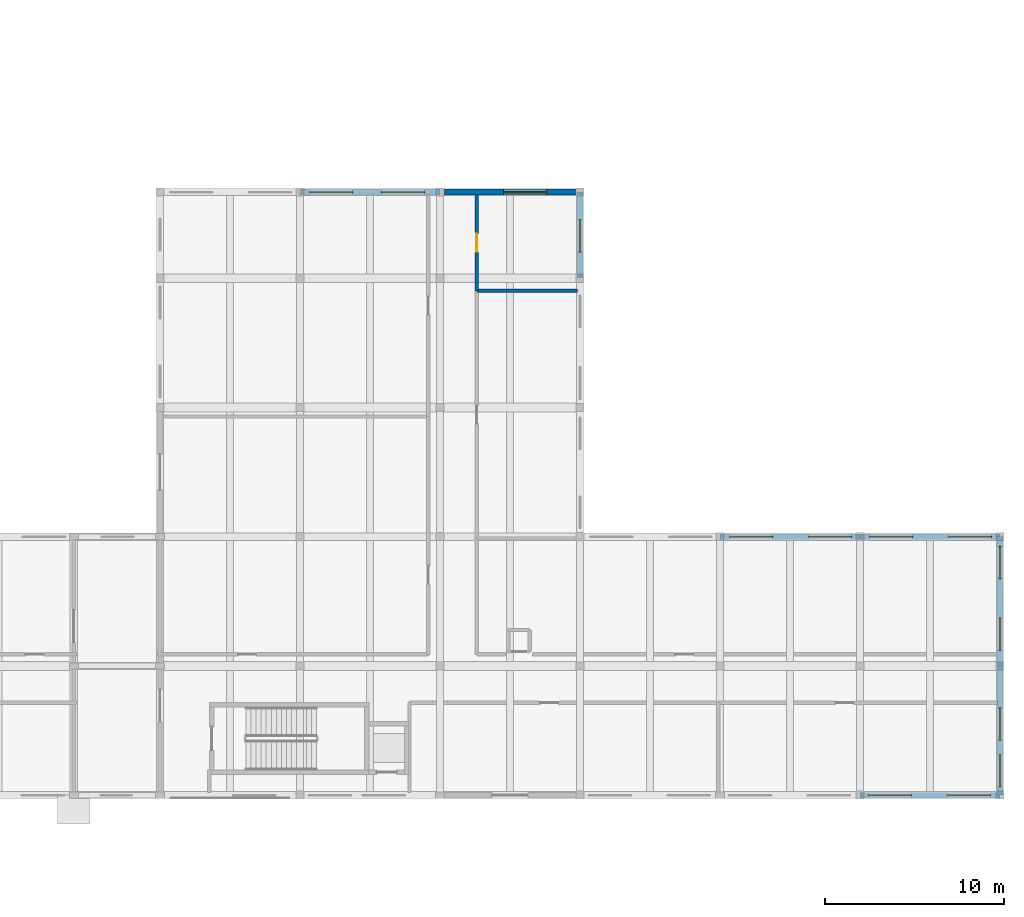
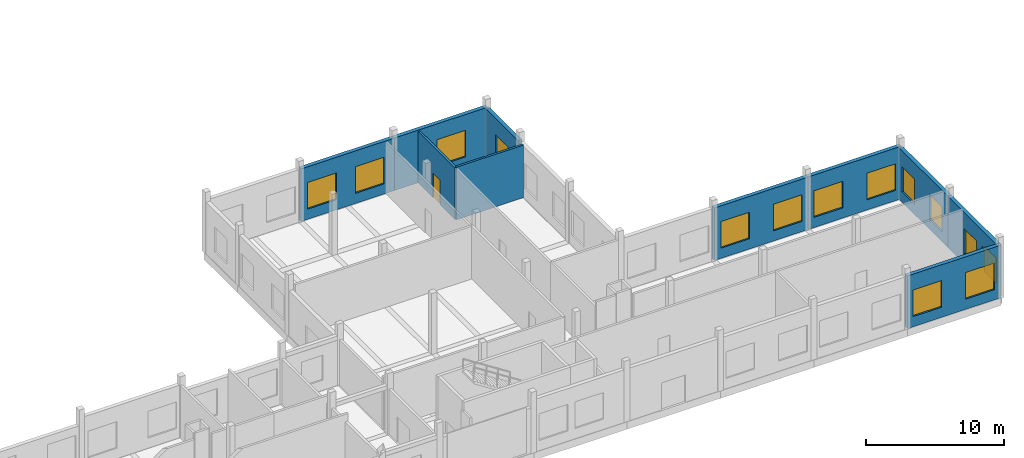
# One storey, part 28 of 41: 14 windows, 10 walls, 1 door, 15 openings.
"""IFC4 building model written with IfcOpenShell, lengths in metres."""

from ifc_helpers import new_model, si_unit, direction, frame, frame_2d, origin, place, context, subcontext, project, spatial, rectangle, extrude, material, layer, layer_set, type_object, element, fill, save


model = new_model("IFC4")

# Units and contexts
model_context = context("Model", 3, precision=1e-05, world=origin(), true_north=direction((0.0, 1.0)))
body_context = subcontext(model_context, "Body", "Model", "MODEL_VIEW")
ifc_project = project(units=[si_unit("LENGTHUNIT", "METRE"), si_unit("AREAUNIT", "SQUARE_METRE"), si_unit("VOLUMEUNIT", "CUBIC_METRE"), si_unit("PLANEANGLEUNIT", "RADIAN"), si_unit("MASSUNIT", "GRAM", prefix="KILO")], contexts=[model_context])

# Site, building, storey
site_placement = place(None, origin())
site = spatial("IfcSite", under=ifc_project, at=site_placement, CompositionType="ELEMENT")
building_placement = place(site_placement, origin())
building = spatial("IfcBuilding", under=site, at=building_placement, Name="Kahlenmark Community Centre", CompositionType="ELEMENT")
storey_placement = place(building_placement, origin())
storey = spatial("IfcBuildingStorey", under=building, at=storey_placement, Name="L00", CompositionType="ELEMENT", Elevation=0.0)

# Wall, openings, windows
ifc_material_1 = material(Name="Danube limestone masonry", Category="masonry")
ifc_layer_1 = layer(ifc_material_1, 0.320068359375)
ifc_layer_set_1 = layer_set([ifc_layer_1], Name="Danube limestone masonry")
wall_type_1 = type_object("IfcWallType", Name="WT-EW-320", PredefinedType="SOLIDWALL", material=ifc_layer_set_1)
wall_1_placement = place(storey_placement, frame((160.60009765625, 8.800048828125, 0.0), z_axis=(0.0, 0.0, 1.0), x_axis=(1.0, 0.0, 0.0)))
wall_1 = element("IfcWall", 1, at=wall_1_placement, inside=storey, type_object=wall_type_1, Name="Exterior wall WL-EXT-L00-0224", PredefinedType="SOLIDWALL", context=body_context, shape_type="SweptSolid", body=[
    extrude(rectangle(XDim=7.7998046875, YDim=0.320068359375, at=frame_2d((3.89990234375, 0.0))), origin(), (0.0, 0.0, 1.0), 4.639892578125),
])
opening_1_placement = place(wall_1_placement, frame((0.4599609375, 0.0, 0.89990234375)))
opening_1 = element("IfcOpeningElement", 2, at=opening_1_placement, cuts=wall_1, Name="Opening W-240X235", PredefinedType="OPENING", context=body_context, shape_type="SweptSolid", body=[
    extrude(rectangle(XDim=2.39990234375, YDim=2.35009765625, at=frame_2d((1.199951171875, 1.175048828125))), frame((0.0, 0.169921875, 0.0), z_axis=(0.0, -1.0, 0.0), x_axis=(1.0, 0.0, 0.0)), (0.0, 0.0, 1.0), 0.340087890625),
])
opening_2_placement = place(wall_1_placement, frame((4.860107421875, 0.0, 0.89990234375)))
opening_2 = element("IfcOpeningElement", 3, at=opening_2_placement, cuts=wall_1, Name="Opening W-240X235", PredefinedType="OPENING", context=body_context, shape_type="SweptSolid", body=[
    extrude(rectangle(XDim=2.39990234375, YDim=2.35009765625, at=frame_2d((1.199951171875, 1.175048828125))), frame((0.0, 0.169921875, 0.0), z_axis=(0.0, -1.0, 0.0), x_axis=(1.0, 0.0, 0.0)), (0.0, 0.0, 1.0), 0.340087890625),
])
ifc_material_2 = material(Name="Triple low-e insulated glazing in timber-aluminium frame", Category="wood")
window_type_1 = type_object("IfcWindowType", Name="WNT-240X235", PartitioningType="TRIPLE_PANEL_VERTICAL", PredefinedType="WINDOW", material=ifc_material_2)
window_1_placement = place(opening_1_placement, origin())
window_1 = element("IfcWindow", 4, at=window_1_placement, inside=storey, type_object=window_type_1, Name="Window W-240X235 #0134", OverallHeight=2.35009765625, OverallWidth=2.39990234375, PartitioningType="TRIPLE_PANEL_VERTICAL", PredefinedType="WINDOW", context=body_context, shape_type="SweptSolid", body=[
    extrude(rectangle(XDim=2.39990234375, YDim=2.35009765625, at=frame_2d((1.199951171875, 1.175048828125))), frame((0.0, 0.030029296875, 0.0), z_axis=(0.0, -1.0, 0.0), x_axis=(1.0, 0.0, 0.0)), (0.0, 0.0, 1.0), 0.06005859375),
])
fill(opening_1, window_1)
window_2_placement = place(opening_2_placement, origin())
window_2 = element("IfcWindow", 5, at=window_2_placement, inside=storey, type_object=window_type_1, Name="Window W-240X235 #0135", OverallHeight=2.35009765625, OverallWidth=2.39990234375, PartitioningType="TRIPLE_PANEL_VERTICAL", PredefinedType="WINDOW", context=body_context, shape_type="SweptSolid", body=[
    extrude(rectangle(XDim=2.39990234375, YDim=2.35009765625, at=frame_2d((1.199951171875, 1.175048828125))), frame((0.0, 0.030029296875, 0.0), z_axis=(0.0, -1.0, 0.0), x_axis=(1.0, 0.0, 0.0)), (0.0, 0.0, 1.0), 0.06005859375),
])
fill(opening_2, window_2)

wall_2_placement = place(storey_placement, frame((160.60009765625, 23.199951171875, 0.0), z_axis=(0.0, 0.0, 1.0), x_axis=(-1.0, 0.0, 0.0)))
wall_2 = element("IfcWall", 6, at=wall_2_placement, inside=storey, type_object=wall_type_1, Name="Exterior wall WL-EXT-L00-0226", PredefinedType="SOLIDWALL", context=body_context, shape_type="SweptSolid", body=[
    extrude(rectangle(XDim=7.800048828125, YDim=0.320068359375, at=frame_2d((3.89990234375, 0.0))), origin(), (0.0, 0.0, 1.0), 4.639892578125),
])
opening_3_placement = place(wall_2_placement, frame((0.4599609375, 0.0, 0.89990234375)))
opening_3 = element("IfcOpeningElement", 7, at=opening_3_placement, cuts=wall_2, Name="Opening W-240X235", PredefinedType="OPENING", context=body_context, shape_type="SweptSolid", body=[
    extrude(rectangle(XDim=2.39990234375, YDim=2.35009765625, at=frame_2d((1.199951171875, 1.175048828125))), frame((0.0, 0.169921875, 0.0), z_axis=(0.0, -1.0, 0.0), x_axis=(1.0, 0.0, 0.0)), (0.0, 0.0, 1.0), 0.340087890625),
])
opening_4_placement = place(wall_2_placement, frame((4.860107421875, 0.0, 0.89990234375)))
opening_4 = element("IfcOpeningElement", 8, at=opening_4_placement, cuts=wall_2, Name="Opening W-240X235", PredefinedType="OPENING", context=body_context, shape_type="SweptSolid", body=[
    extrude(rectangle(XDim=2.39990234375, YDim=2.35009765625, at=frame_2d((1.199951171875, 1.175048828125))), frame((0.0, 0.169921875, 0.0), z_axis=(0.0, -1.0, 0.0), x_axis=(1.0, 0.0, 0.0)), (0.0, 0.0, 1.0), 0.340087890625),
])
window_3_placement = place(opening_3_placement, origin())
window_3 = element("IfcWindow", 9, at=window_3_placement, inside=storey, type_object=window_type_1, Name="Window W-240X235 #0138", OverallHeight=2.35009765625, OverallWidth=2.39990234375, PartitioningType="TRIPLE_PANEL_VERTICAL", PredefinedType="WINDOW", context=body_context, shape_type="SweptSolid", body=[
    extrude(rectangle(XDim=2.39990234375, YDim=2.35009765625, at=frame_2d((1.199951171875, 1.175048828125))), frame((0.0, 0.030029296875, 0.0), z_axis=(0.0, -1.0, 0.0), x_axis=(1.0, 0.0, 0.0)), (0.0, 0.0, 1.0), 0.06005859375),
])
fill(opening_3, window_3)
window_4_placement = place(opening_4_placement, origin())
window_4 = element("IfcWindow", 10, at=window_4_placement, inside=storey, type_object=window_type_1, Name="Window W-240X235 #0139", OverallHeight=2.35009765625, OverallWidth=2.39990234375, PartitioningType="TRIPLE_PANEL_VERTICAL", PredefinedType="WINDOW", context=body_context, shape_type="SweptSolid", body=[
    extrude(rectangle(XDim=2.39990234375, YDim=2.35009765625, at=frame_2d((1.199951171875, 1.175048828125))), frame((0.0, 0.030029296875, 0.0), z_axis=(0.0, -1.0, 0.0), x_axis=(1.0, 0.0, 0.0)), (0.0, 0.0, 1.0), 0.06005859375),
])
fill(opening_4, window_4)

wall_3_placement = place(storey_placement, frame((168.39990234375, 23.199951171875, 0.0), z_axis=(0.0, 0.0, 1.0), x_axis=(-1.0, 0.0, 0.0)))
wall_3 = element("IfcWall", 11, at=wall_3_placement, inside=storey, type_object=wall_type_1, Name="Exterior wall WL-EXT-L00-0227", PredefinedType="SOLIDWALL", context=body_context, shape_type="SweptSolid", body=[
    extrude(rectangle(XDim=7.7998046875, YDim=0.320068359375, at=frame_2d((3.89990234375, 0.0))), origin(), (0.0, 0.0, 1.0), 4.639892578125),
])
opening_5_placement = place(wall_3_placement, frame((0.4599609375, 0.0, 0.89990234375)))
opening_5 = element("IfcOpeningElement", 12, at=opening_5_placement, cuts=wall_3, Name="Opening W-240X235", PredefinedType="OPENING", context=body_context, shape_type="SweptSolid", body=[
    extrude(rectangle(XDim=2.39990234375, YDim=2.35009765625, at=frame_2d((1.199951171875, 1.175048828125))), frame((0.0, 0.169921875, 0.0), z_axis=(0.0, -1.0, 0.0), x_axis=(1.0, 0.0, 0.0)), (0.0, 0.0, 1.0), 0.340087890625),
])
opening_6_placement = place(wall_3_placement, frame((4.860107421875, 0.0, 0.89990234375)))
opening_6 = element("IfcOpeningElement", 13, at=opening_6_placement, cuts=wall_3, Name="Opening W-240X235", PredefinedType="OPENING", context=body_context, shape_type="SweptSolid", body=[
    extrude(rectangle(XDim=2.39990234375, YDim=2.35009765625, at=frame_2d((1.199951171875, 1.175048828125))), frame((0.0, 0.169921875, 0.0), z_axis=(0.0, -1.0, 0.0), x_axis=(1.0, 0.0, 0.0)), (0.0, 0.0, 1.0), 0.340087890625),
])
window_5_placement = place(opening_5_placement, origin())
window_5 = element("IfcWindow", 14, at=window_5_placement, inside=storey, type_object=window_type_1, Name="Window W-240X235 #0140", OverallHeight=2.35009765625, OverallWidth=2.39990234375, PartitioningType="TRIPLE_PANEL_VERTICAL", PredefinedType="WINDOW", context=body_context, shape_type="SweptSolid", body=[
    extrude(rectangle(XDim=2.39990234375, YDim=2.35009765625, at=frame_2d((1.199951171875, 1.175048828125))), frame((0.0, 0.030029296875, 0.0), z_axis=(0.0, -1.0, 0.0), x_axis=(1.0, 0.0, 0.0)), (0.0, 0.0, 1.0), 0.06005859375),
])
fill(opening_5, window_5)
window_6_placement = place(opening_6_placement, origin())
window_6 = element("IfcWindow", 15, at=window_6_placement, inside=storey, type_object=window_type_1, Name="Window W-240X235 #0141", OverallHeight=2.35009765625, OverallWidth=2.39990234375, PartitioningType="TRIPLE_PANEL_VERTICAL", PredefinedType="WINDOW", context=body_context, shape_type="SweptSolid", body=[
    extrude(rectangle(XDim=2.39990234375, YDim=2.35009765625, at=frame_2d((1.199951171875, 1.175048828125))), frame((0.0, 0.030029296875, 0.0), z_axis=(0.0, -1.0, 0.0), x_axis=(1.0, 0.0, 0.0)), (0.0, 0.0, 1.0), 0.06005859375),
])
fill(opening_6, window_6)

wall_4_placement = place(storey_placement, frame((168.39990234375, 8.800048828125, 0.0), z_axis=(0.0, 0.0, 1.0), x_axis=(0.0, 1.0, 0.0)))
wall_4 = element("IfcWall", 16, at=wall_4_placement, inside=storey, type_object=wall_type_1, Name="Exterior wall WL-EXT-L00-0228", PredefinedType="SOLIDWALL", context=body_context, shape_type="SweptSolid", body=[
    extrude(rectangle(XDim=7.199951171875, YDim=0.320068359375, at=frame_2d((3.60009765625, 0.0))), origin(), (0.0, 0.0, 1.0), 4.5400390625),
])
opening_7_placement = place(wall_4_placement, frame((0.4599609375, 0.0, 0.89990234375)))
opening_7 = element("IfcOpeningElement", 17, at=opening_7_placement, cuts=wall_4, Name="Opening W-180X220", PredefinedType="OPENING", context=body_context, shape_type="SweptSolid", body=[
    extrude(rectangle(XDim=1.800048828125, YDim=2.199951171875, at=frame_2d((0.89990234375, 1.10009765625))), frame((0.0, 0.169921875, 0.0), z_axis=(0.0, -1.0, 0.0), x_axis=(1.0, 0.0, 0.0)), (0.0, 0.0, 1.0), 0.340087890625),
])
opening_8_placement = place(wall_4_placement, frame((3.06005859375, 0.0, 0.89990234375)))
opening_8 = element("IfcOpeningElement", 18, at=opening_8_placement, cuts=wall_4, Name="Opening W-180X220", PredefinedType="OPENING", context=body_context, shape_type="SweptSolid", body=[
    extrude(rectangle(XDim=1.800048828125, YDim=2.199951171875, at=frame_2d((0.89990234375, 1.10009765625))), frame((0.0, 0.169921875, 0.0), z_axis=(0.0, -1.0, 0.0), x_axis=(1.0, 0.0, 0.0)), (0.0, 0.0, 1.0), 0.340087890625),
])
window_type_2 = type_object("IfcWindowType", Name="WNT-180X220", PartitioningType="DOUBLE_PANEL_VERTICAL", PredefinedType="WINDOW", material=ifc_material_2)
window_7_placement = place(opening_7_placement, origin())
window_7 = element("IfcWindow", 19, at=window_7_placement, inside=storey, type_object=window_type_2, Name="Window W-180X220 #0142", OverallHeight=2.199951171875, OverallWidth=1.800048828125, PartitioningType="DOUBLE_PANEL_VERTICAL", PredefinedType="WINDOW", context=body_context, shape_type="SweptSolid", body=[
    extrude(rectangle(XDim=1.800048828125, YDim=2.199951171875, at=frame_2d((0.89990234375, 1.10009765625))), frame((0.0, 0.030029296875, 0.0), z_axis=(0.0, -1.0, 0.0), x_axis=(1.0, 0.0, 0.0)), (0.0, 0.0, 1.0), 0.06005859375),
])
fill(opening_7, window_7)
window_8_placement = place(opening_8_placement, origin())
window_8 = element("IfcWindow", 20, at=window_8_placement, inside=storey, type_object=window_type_2, Name="Window W-180X220 #0143", OverallHeight=2.199951171875, OverallWidth=1.800048828125, PartitioningType="DOUBLE_PANEL_VERTICAL", PredefinedType="WINDOW", context=body_context, shape_type="SweptSolid", body=[
    extrude(rectangle(XDim=1.800048828125, YDim=2.199951171875, at=frame_2d((0.89990234375, 1.10009765625))), frame((0.0, 0.030029296875, 0.0), z_axis=(0.0, -1.0, 0.0), x_axis=(1.0, 0.0, 0.0)), (0.0, 0.0, 1.0), 0.06005859375),
])
fill(opening_8, window_8)

wall_5_placement = place(storey_placement, frame((168.39990234375, 16.0, 0.0), z_axis=(0.0, 0.0, 1.0), x_axis=(0.0, 1.0, 0.0)))
wall_5 = element("IfcWall", 21, at=wall_5_placement, inside=storey, type_object=wall_type_1, Name="Exterior wall WL-EXT-L00-0229", PredefinedType="SOLIDWALL", context=body_context, shape_type="SweptSolid", body=[
    extrude(rectangle(XDim=7.199951171875, YDim=0.320068359375, at=frame_2d((3.60009765625, 0.0))), origin(), (0.0, 0.0, 1.0), 4.5400390625),
])
opening_9_placement = place(wall_5_placement, frame((0.860107421875, 0.0, 0.89990234375)))
opening_9 = element("IfcOpeningElement", 22, at=opening_9_placement, cuts=wall_5, Name="Opening W-180X220", PredefinedType="OPENING", context=body_context, shape_type="SweptSolid", body=[
    extrude(rectangle(XDim=1.800048828125, YDim=2.199951171875, at=frame_2d((0.89990234375, 1.10009765625))), frame((0.0, 0.169921875, 0.0), z_axis=(0.0, -1.0, 0.0), x_axis=(1.0, 0.0, 0.0)), (0.0, 0.0, 1.0), 0.340087890625),
])
opening_10_placement = place(wall_5_placement, frame((4.860107421875, 0.0, 0.89990234375)))
opening_10 = element("IfcOpeningElement", 23, at=opening_10_placement, cuts=wall_5, Name="Opening W-180X220", PredefinedType="OPENING", context=body_context, shape_type="SweptSolid", body=[
    extrude(rectangle(XDim=1.800048828125, YDim=2.199951171875, at=frame_2d((0.89990234375, 1.10009765625))), frame((0.0, 0.169921875, 0.0), z_axis=(0.0, -1.0, 0.0), x_axis=(1.0, 0.0, 0.0)), (0.0, 0.0, 1.0), 0.340087890625),
])
window_9_placement = place(opening_9_placement, origin())
window_9 = element("IfcWindow", 24, at=window_9_placement, inside=storey, type_object=window_type_2, Name="Window W-180X220 #0144", OverallHeight=2.199951171875, OverallWidth=1.800048828125, PartitioningType="DOUBLE_PANEL_VERTICAL", PredefinedType="WINDOW", context=body_context, shape_type="SweptSolid", body=[
    extrude(rectangle(XDim=1.800048828125, YDim=2.199951171875, at=frame_2d((0.89990234375, 1.10009765625))), frame((0.0, 0.030029296875, 0.0), z_axis=(0.0, -1.0, 0.0), x_axis=(1.0, 0.0, 0.0)), (0.0, 0.0, 1.0), 0.06005859375),
])
fill(opening_9, window_9)
window_10_placement = place(opening_10_placement, origin())
window_10 = element("IfcWindow", 25, at=window_10_placement, inside=storey, type_object=window_type_2, Name="Window W-180X220 #0145", OverallHeight=2.199951171875, OverallWidth=1.800048828125, PartitioningType="DOUBLE_PANEL_VERTICAL", PredefinedType="WINDOW", context=body_context, shape_type="SweptSolid", body=[
    extrude(rectangle(XDim=1.800048828125, YDim=2.199951171875, at=frame_2d((0.89990234375, 1.10009765625))), frame((0.0, 0.030029296875, 0.0), z_axis=(0.0, -1.0, 0.0), x_axis=(1.0, 0.0, 0.0)), (0.0, 0.0, 1.0), 0.06005859375),
])
fill(opening_10, window_10)

wall_6_placement = place(storey_placement, frame((137.199951171875, 42.39990234375, 0.0), z_axis=(0.0, 0.0, 1.0), x_axis=(-1.0, 0.0, 0.0)))
wall_6 = element("IfcWall", 26, at=wall_6_placement, inside=storey, type_object=wall_type_1, Name="Exterior wall WL-EXT-L00-0231", PredefinedType="SOLIDWALL", context=body_context, shape_type="SweptSolid", body=[
    extrude(rectangle(XDim=7.800048828125, YDim=0.320068359375, at=frame_2d((3.89990234375, 0.0))), origin(), (0.0, 0.0, 1.0), 4.639892578125),
])
opening_11_placement = place(wall_6_placement, frame((0.860107421875, 0.0, 0.89990234375)))
opening_11 = element("IfcOpeningElement", 27, at=opening_11_placement, cuts=wall_6, Name="Opening W-240X235", PredefinedType="OPENING", context=body_context, shape_type="SweptSolid", body=[
    extrude(rectangle(XDim=2.39990234375, YDim=2.35009765625, at=frame_2d((1.199951171875, 1.175048828125))), frame((0.0, 0.169921875, 0.0), z_axis=(0.0, -1.0, 0.0), x_axis=(1.0, 0.0, 0.0)), (0.0, 0.0, 1.0), 0.340087890625),
])
opening_12_placement = place(wall_6_placement, frame((4.860107421875, 0.0, 0.89990234375)))
opening_12 = element("IfcOpeningElement", 28, at=opening_12_placement, cuts=wall_6, Name="Opening W-240X235", PredefinedType="OPENING", context=body_context, shape_type="SweptSolid", body=[
    extrude(rectangle(XDim=2.39990234375, YDim=2.35009765625, at=frame_2d((1.199951171875, 1.175048828125))), frame((0.0, 0.169921875, 0.0), z_axis=(0.0, -1.0, 0.0), x_axis=(1.0, 0.0, 0.0)), (0.0, 0.0, 1.0), 0.340087890625),
])
window_11_placement = place(opening_11_placement, origin())
window_11 = element("IfcWindow", 29, at=window_11_placement, inside=storey, type_object=window_type_1, Name="Window W-240X235 #0148", OverallHeight=2.35009765625, OverallWidth=2.39990234375, PartitioningType="TRIPLE_PANEL_VERTICAL", PredefinedType="WINDOW", context=body_context, shape_type="SweptSolid", body=[
    extrude(rectangle(XDim=2.39990234375, YDim=2.35009765625, at=frame_2d((1.199951171875, 1.175048828125))), frame((0.0, 0.030029296875, 0.0), z_axis=(0.0, -1.0, 0.0), x_axis=(1.0, 0.0, 0.0)), (0.0, 0.0, 1.0), 0.06005859375),
])
fill(opening_11, window_11)
window_12_placement = place(opening_12_placement, origin())
window_12 = element("IfcWindow", 30, at=window_12_placement, inside=storey, type_object=window_type_1, Name="Window W-240X235 #0149", OverallHeight=2.35009765625, OverallWidth=2.39990234375, PartitioningType="TRIPLE_PANEL_VERTICAL", PredefinedType="WINDOW", context=body_context, shape_type="SweptSolid", body=[
    extrude(rectangle(XDim=2.39990234375, YDim=2.35009765625, at=frame_2d((1.199951171875, 1.175048828125))), frame((0.0, 0.030029296875, 0.0), z_axis=(0.0, -1.0, 0.0), x_axis=(1.0, 0.0, 0.0)), (0.0, 0.0, 1.0), 0.06005859375),
])
fill(opening_12, window_12)

# Wall, opening, window
wall_7_placement = place(storey_placement, frame((145.0, 42.39990234375, 0.0), z_axis=(0.0, 0.0, 1.0), x_axis=(-1.0, 0.0, 0.0)))
wall_7 = element("IfcWall", 31, at=wall_7_placement, inside=storey, type_object=wall_type_1, Name="Exterior wall WL-EXT-L00-0232", PredefinedType="SOLIDWALL", context=body_context, shape_type="SweptSolid", body=[
    extrude(rectangle(XDim=7.800048828125, YDim=0.320068359375, at=frame_2d((3.89990234375, 0.0))), origin(), (0.0, 0.0, 1.0), 4.639892578125),
])
opening_13_placement = place(wall_7_placement, frame((1.860107421875, 0.0, 0.89990234375)))
opening_13 = element("IfcOpeningElement", 32, at=opening_13_placement, cuts=wall_7, Name="Opening W-240X235", PredefinedType="OPENING", context=body_context, shape_type="SweptSolid", body=[
    extrude(rectangle(XDim=2.39990234375, YDim=2.35009765625, at=frame_2d((1.199951171875, 1.175048828125))), frame((0.0, 0.169921875, 0.0), z_axis=(0.0, -1.0, 0.0), x_axis=(1.0, 0.0, 0.0)), (0.0, 0.0, 1.0), 0.340087890625),
])
window_13_placement = place(opening_13_placement, origin())
window_13 = element("IfcWindow", 33, at=window_13_placement, inside=storey, type_object=window_type_1, Name="Window W-240X235 #0150", OverallHeight=2.35009765625, OverallWidth=2.39990234375, PartitioningType="TRIPLE_PANEL_VERTICAL", PredefinedType="WINDOW", context=body_context, shape_type="SweptSolid", body=[
    extrude(rectangle(XDim=2.39990234375, YDim=2.35009765625, at=frame_2d((1.199951171875, 1.175048828125))), frame((0.0, 0.030029296875, 0.0), z_axis=(0.0, -1.0, 0.0), x_axis=(1.0, 0.0, 0.0)), (0.0, 0.0, 1.0), 0.06005859375),
])
fill(opening_13, window_13)

wall_8_placement = place(storey_placement, frame((145.0, 37.60009765625, 0.0), z_axis=(0.0, 0.0, 1.0), x_axis=(0.0, 1.0, 0.0)))
wall_8 = element("IfcWall", 34, at=wall_8_placement, inside=storey, type_object=wall_type_1, Name="Exterior wall WL-EXT-L00-0238", PredefinedType="SOLIDWALL", context=body_context, shape_type="SweptSolid", body=[
    extrude(rectangle(XDim=4.7998046875, YDim=0.320068359375, at=frame_2d((2.39990234375, 0.0))), origin(), (0.0, 0.0, 1.0), 4.5400390625),
])
opening_14_placement = place(wall_8_placement, frame((1.4599609375, 0.0, 0.89990234375)))
opening_14 = element("IfcOpeningElement", 35, at=opening_14_placement, cuts=wall_8, Name="Opening W-180X220", PredefinedType="OPENING", context=body_context, shape_type="SweptSolid", body=[
    extrude(rectangle(XDim=1.800048828125, YDim=2.199951171875, at=frame_2d((0.89990234375, 1.10009765625))), frame((0.0, 0.169921875, 0.0), z_axis=(0.0, -1.0, 0.0), x_axis=(1.0, 0.0, 0.0)), (0.0, 0.0, 1.0), 0.340087890625),
])
window_14_placement = place(opening_14_placement, origin())
window_14 = element("IfcWindow", 36, at=window_14_placement, inside=storey, type_object=window_type_2, Name="Window W-180X220 #0158", OverallHeight=2.199951171875, OverallWidth=1.800048828125, PartitioningType="DOUBLE_PANEL_VERTICAL", PredefinedType="WINDOW", context=body_context, shape_type="SweptSolid", body=[
    extrude(rectangle(XDim=1.800048828125, YDim=2.199951171875, at=frame_2d((0.89990234375, 1.10009765625))), frame((0.0, 0.030029296875, 0.0), z_axis=(0.0, -1.0, 0.0), x_axis=(1.0, 0.0, 0.0)), (0.0, 0.0, 1.0), 0.06005859375),
])
fill(opening_14, window_14)

# Wall, opening, door
ifc_material_3 = material(Name="Gypsum plasterboard partition", Category="gypsum")
ifc_layer_2 = layer(ifc_material_3, 0.179931640625)
ifc_layer_set_2 = layer_set([ifc_layer_2], Name="Gypsum plasterboard partition")
wall_type_2 = type_object("IfcWallType", Name="WT-PW-180", PredefinedType="PARTITIONING", material=ifc_layer_set_2)
wall_9_placement = place(storey_placement, frame((139.25, 36.89990234375, 0.0), z_axis=(0.0, 0.0, 1.0), x_axis=(0.0, 1.0, 0.0)))
wall_9 = element("IfcWall", 37, at=wall_9_placement, inside=storey, type_object=wall_type_2, Name="Interior partition WL-INT-L00-0068", PredefinedType="PARTITIONING", context=body_context, shape_type="SweptSolid", body=[
    extrude(rectangle(XDim=5.35009765625, YDim=0.179931640625, at=frame_2d((2.675048828125, 0.0))), origin(), (0.0, 0.0, 1.0), 4.5400390625),
])
opening_15_placement = place(wall_9_placement, frame((2.175048828125, 0.0, -0.010009765625)))
opening_15 = element("IfcOpeningElement", 38, at=opening_15_placement, cuts=wall_9, Name="Opening D-L00-044", PredefinedType="OPENING", context=body_context, shape_type="SweptSolid", body=[
    extrude(rectangle(XDim=1.0, YDim=2.159912109375, at=frame_2d((0.5, 1.080078125))), frame((0.0, 0.099853515625, 0.0), z_axis=(0.0, -1.0, 0.0), x_axis=(1.0, 0.0, 0.0)), (0.0, 0.0, 1.0), 0.199951171875),
])
ifc_material_4 = material(Name="Oak timber veneer door leaf", Category="wood")
door_type = type_object("IfcDoorType", Name="DT-INT-100X215", OperationType="NOTDEFINED", PredefinedType="DOOR", material=ifc_material_4)
door_placement = place(opening_15_placement, frame((0.0, 0.0, 0.010009765625)))
door = element("IfcDoor", 39, at=door_placement, inside=storey, type_object=door_type, Name="Interior door D-L00-044", OperationType="SINGLE_SWING_LEFT", OverallHeight=2.14990234375, OverallWidth=1.0, PredefinedType="DOOR", context=body_context, shape_type="SweptSolid", body=[
    extrude(rectangle(XDim=1.0, YDim=2.14990234375, at=frame_2d((0.5, 1.074951171875))), frame((0.0, 0.02490234375, 0.0), z_axis=(0.0, -1.0, 0.0), x_axis=(1.0, 0.0, 0.0)), (0.0, 0.0, 1.0), 0.050048828125),
])
fill(opening_15, door)

# Wall
wall_10_placement = place(storey_placement, frame((139.25, 36.89990234375, 0.0), z_axis=(0.0, 0.0, 1.0), x_axis=(1.0, 0.0, 0.0)))
element("IfcWall", 40, at=wall_10_placement, inside=storey, type_object=wall_type_2, Name="Interior partition WL-INT-L00-0069", PredefinedType="PARTITIONING", context=body_context, shape_type="SweptSolid", body=[
    extrude(rectangle(XDim=5.60009765625, YDim=0.179931640625, at=frame_2d((2.800048828125, 0.0))), origin(), (0.0, 0.0, 1.0), 4.639892578125),
])

save(model, "model.ifc")
